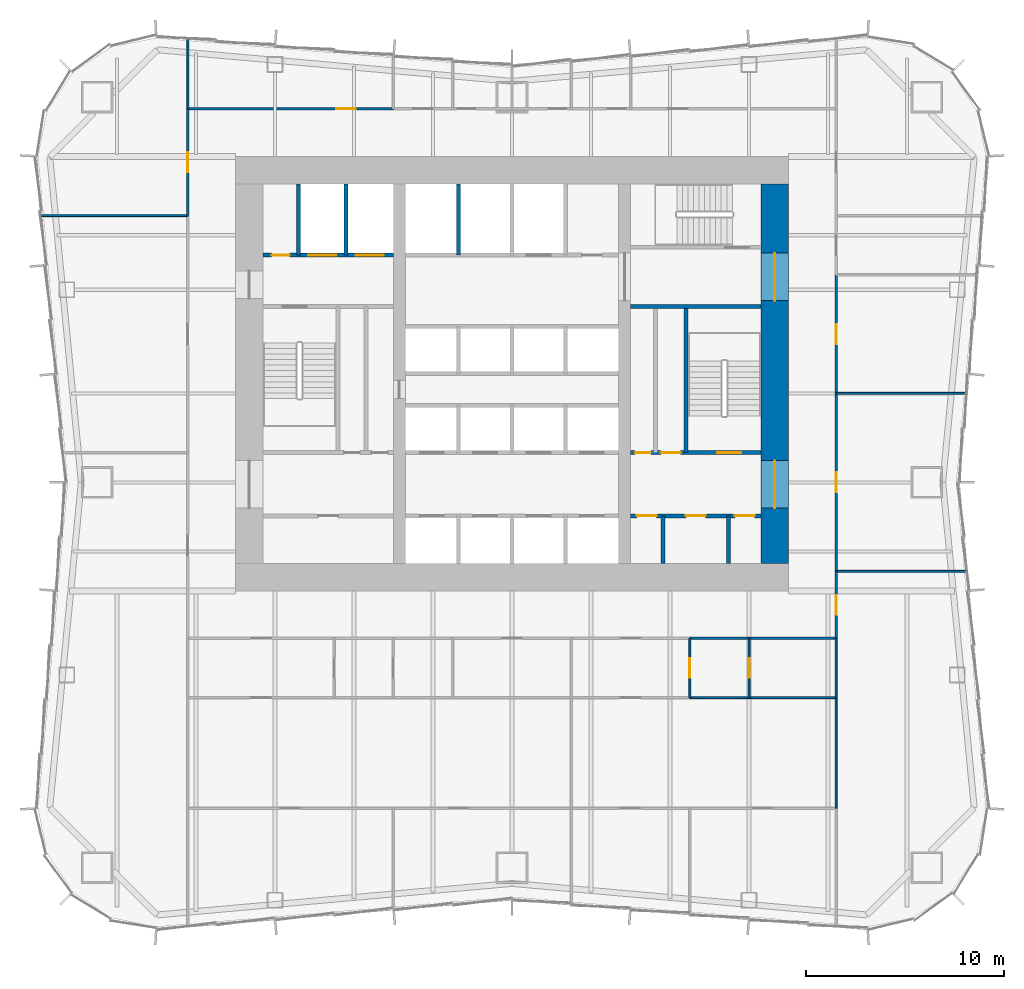
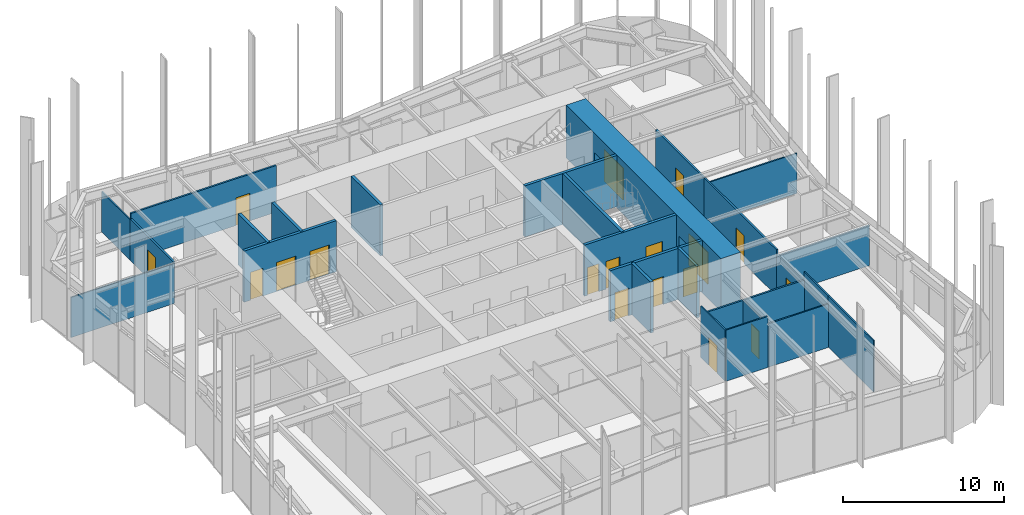
# One storey, part 11 of 13: 28 walls, 18 doors, 18 openings.
"""IFC4 building model written with IfcOpenShell, lengths in metres."""

import ifcopenshell
import ifcopenshell.guid

model = None  # the IFC model being written
_history = None  # IfcOwnerHistory: only IFC2X3 demands one
_inside = {}  # id of a spatial element -> (the spatial element, [elements in it])
_under = {}  # id of a project, library or spatial element -> (it, [spatial elements below it])
_declared = {}  # id of a project -> (the project, [libraries it declares])
_typed = {}  # id of a type object -> (the type object, [elements of that type])
_made_of = {}  # id of a material, layer set ... -> (it, [elements and type objects made of it])


def new_model(schema):
    """Start an empty IFC model of exactly this schema.

    Asked for "IFC4X3", IfcOpenShell would pick the latest addendum, in which some entities
    have other attributes; the version numbers below select the first issue.
    IFC2X3 requires an IfcOwnerHistory on every rooted entity: one is made here for all.
    """
    global model, _history
    if schema == "IFC4X3":
        model = ifcopenshell.file(schema_version=(4, 3, 0, 0))
    else:
        model = ifcopenshell.file(schema=schema)
    _inside.clear()
    _under.clear()
    _declared.clear()
    _typed.clear()
    _made_of.clear()
    _history = None
    if model.schema == "IFC2X3":
        org = make("IfcOrganization", Name="unknown")
        user = make(
            "IfcPersonAndOrganization",
            ThePerson=make("IfcPerson", FamilyName="unknown"),
            TheOrganization=org,
        )
        app = make(
            "IfcApplication",
            ApplicationDeveloper=org,
            Version="unknown",
            ApplicationFullName="unknown",
            ApplicationIdentifier="unknown",
        )
        _history = make(
            "IfcOwnerHistory",
            OwningUser=user,
            OwningApplication=app,
            ChangeAction="ADDED",
            CreationDate=0,
        )
    return model


def make(cls, **values):
    """One entity of the class cls with the attributes given. An attribute that is None is left unset."""
    return model.create_entity(
        cls, **{name: value for name, value in values.items() if value is not None}
    )


def rooted(cls, **values):
    """An entity with a GlobalId (a new one), such as an element, a storey or a relation."""
    return make(cls, GlobalId=ifcopenshell.guid.new(), OwnerHistory=_history, **values)


def si_unit(unit_type, name, prefix=None):
    """IfcSIUnit, for example si_unit("LENGTHUNIT", "METRE", prefix="MILLI")."""
    return make("IfcSIUnit", UnitType=unit_type, Prefix=prefix, Name=name)


def assignment(units):
    """IfcUnitAssignment: the units of a project."""
    return None if units is None else make("IfcUnitAssignment", Units=units)


def point(xyz):
    """IfcCartesianPoint."""
    return None if xyz is None else make("IfcCartesianPoint", Coordinates=xyz)


def direction(xyz):
    """IfcDirection."""
    return None if xyz is None else make("IfcDirection", DirectionRatios=xyz)


def frame(location, z_axis=None, x_axis=None):
    """IfcAxis2Placement3D, a coordinate frame: its origin and axes. An axis left out is left unset."""
    return make(
        "IfcAxis2Placement3D",
        Location=point(location),
        Axis=direction(z_axis),
        RefDirection=direction(x_axis),
    )


def frame_2d(location, x_axis=None):
    """IfcAxis2Placement2D, a coordinate frame in the plane: its origin and x axis."""
    return make(
        "IfcAxis2Placement2D", Location=point(location), RefDirection=direction(x_axis)
    )


def origin():
    """The frame at (0, 0, 0) with its axes left unset."""
    return frame((0.0, 0.0, 0.0))


def place(relative_to, where):
    """IfcLocalPlacement: puts the frame where relative to a parent placement (None: the world)."""
    return make(
        "IfcLocalPlacement", PlacementRelTo=relative_to, RelativePlacement=where
    )


def context(
    kind, dimensions, precision=None, world=None, true_north=None, identifier=None
):
    """IfcGeometricRepresentationContext, for example the 3D "Model" context."""
    return make(
        "IfcGeometricRepresentationContext",
        ContextIdentifier=identifier,
        ContextType=kind,
        CoordinateSpaceDimension=dimensions,
        Precision=precision,
        WorldCoordinateSystem=world,
        TrueNorth=true_north,
    )


def subcontext(parent, identifier, kind, view, scale=None):
    """IfcGeometricRepresentationSubContext, for example "Body" below "Model"."""
    return make(
        "IfcGeometricRepresentationSubContext",
        ContextIdentifier=identifier,
        ContextType=kind,
        ParentContext=parent,
        TargetScale=scale,
        TargetView=view,
    )


def project(units=None, contexts=None):
    """IfcProject with its units and contexts."""
    return rooted(
        "IfcProject",
        Name="project",
        RepresentationContexts=contexts,
        UnitsInContext=assignment(units),
    )


def spatial(cls, under=None, at=None, **own):
    """A site, building, storey or space (cls), placed at a placement, below another one or the project."""
    s = rooted(cls, ObjectPlacement=at, **own)
    if under is not None:
        _under.setdefault(under.id(), (under, []))[1].append(s)
    return s


def profile(cls, at=None, kind="AREA", **sizes):
    """A parametric profile (cls). Its sizes go by their IFC names, for example OverallWidth=200.0."""
    return make(cls, ProfileType=kind, Position=at, **sizes)


def rectangle(**sizes):
    """IfcRectangleProfileDef."""
    return profile("IfcRectangleProfileDef", **sizes)


def extrude(swept, where, along, depth):
    """IfcExtrudedAreaSolid: the profile swept, set in the frame where, extruded along a direction by depth."""
    return make(
        "IfcExtrudedAreaSolid",
        SweptArea=swept,
        Position=where,
        ExtrudedDirection=direction(along),
        Depth=depth,
    )


def shape(context_of_items, identifier, shape_type, items):
    """IfcShapeRepresentation: the items that make up one representation, for example the "Body"."""
    return make(
        "IfcShapeRepresentation",
        ContextOfItems=context_of_items,
        RepresentationIdentifier=identifier,
        RepresentationType=shape_type,
        Items=items,
    )


def material(Name=None, Category=None):
    """IfcMaterial."""
    return make("IfcMaterial", Name=Name, Category=Category)


def layer(
    of_material, thickness, ventilated=None, Name=None, Category=None, Priority=None
):
    """IfcMaterialLayer: one layer of a wall or slab, of a material (None: an air gap)."""
    return make(
        "IfcMaterialLayer",
        Material=of_material,
        LayerThickness=thickness,
        IsVentilated=ventilated,
        Name=Name,
        Category=Category,
        Priority=Priority,
    )


def layer_set(layers, Name=None):
    """IfcMaterialLayerSet."""
    return make("IfcMaterialLayerSet", MaterialLayers=layers, LayerSetName=Name)


def made_of(thing, what):
    """Note that an element or type object is made of a material, layer set ...; save() writes the relation."""
    if what is not None:
        _made_of.setdefault(what.id(), (what, []))[1].append(thing)
    return thing


def type_object(cls, material=None, **own):
    """A type object (cls), such as IfcWallType, which elements share."""
    return made_of(rooted(cls, **own), material)


def element(
    cls,
    number,
    at=None,
    inside=None,
    cuts=None,
    type_object=None,
    material=None,
    context=None,
    identifier="Body",
    shape_type=None,
    held_by="IfcProductDefinitionShape",
    body=None,
    shapes=None,
    **own,
):
    """One element of the class cls, such as IfcWall. Its Tag is "e" and its number.

    at: its placement. inside: the storey or other place that contains it. cuts: it is an
    opening in that element (IfcRelVoidsElement). A single representation is given by context,
    identifier, shape_type and body (its items); several are given by shapes. held_by: the class
    of the entity that holds the representations. save() writes the other relations.
    """
    e = rooted(cls, Tag="e%d" % number, ObjectPlacement=at, **own)
    if body is not None:
        shapes = [shape(context, identifier, shape_type, body)]
    if shapes is not None:
        e.Representation = make(held_by, Representations=shapes)
    if inside is not None:
        _inside.setdefault(inside.id(), (inside, []))[1].append(e)
    if cuts is not None:
        rooted(
            "IfcRelVoidsElement", RelatingBuildingElement=cuts, RelatedOpeningElement=e
        )
    if type_object is not None:
        _typed.setdefault(type_object.id(), (type_object, []))[1].append(e)
    return made_of(e, material)


def fill(opening, filler):
    """IfcRelFillsElement: the door or window that sits in an opening."""
    return rooted(
        "IfcRelFillsElement",
        RelatingOpeningElement=opening,
        RelatedBuildingElement=filler,
    )


def aggregate(whole, parts):
    """IfcRelAggregates: a whole, such as a stair, and the parts it consists of."""
    return rooted("IfcRelAggregates", RelatingObject=whole, RelatedObjects=parts)


def save(model, path):
    """Write the relations noted so far, then the file.

    IfcRelAggregates (storeys below a building ...), IfcRelContainedInSpatialStructure (elements
    in a storey), IfcRelDefinesByType, IfcRelAssociatesMaterial and IfcRelDeclares: one each for
    every whole, place, type object, material and project.
    """
    for whole, parts in _under.values():
        aggregate(whole, parts)
    for where, things in _inside.values():
        rooted(
            "IfcRelContainedInSpatialStructure",
            RelatedElements=things,
            RelatingStructure=where,
        )
    for kind, things in _typed.values():
        rooted("IfcRelDefinesByType", RelatedObjects=things, RelatingType=kind)
    for what, things in _made_of.values():
        rooted("IfcRelAssociatesMaterial", RelatedObjects=things, RelatingMaterial=what)
    for by, libraries in _declared.values():
        rooted("IfcRelDeclares", RelatingContext=by, RelatedDefinitions=libraries)
    model.write(path)


model = new_model("IFC4")

# Units and contexts
model_context = context("Model", 3, precision=1e-05, world=origin(), true_north=direction((0.0, 1.0)))
body_context = subcontext(model_context, "Body", "Model", "MODEL_VIEW")
ifc_project = project(units=[si_unit("LENGTHUNIT", "METRE"), si_unit("AREAUNIT", "SQUARE_METRE"), si_unit("VOLUMEUNIT", "CUBIC_METRE"), si_unit("PLANEANGLEUNIT", "RADIAN"), si_unit("MASSUNIT", "GRAM", prefix="KILO")], contexts=[model_context])

# Site, building, storey
site_placement = place(None, origin())
site = spatial("IfcSite", under=ifc_project, at=site_placement, CompositionType="ELEMENT")
building_placement = place(site_placement, origin())
building = spatial("IfcBuilding", under=site, at=building_placement, Name="Verdant Reach Tower", CompositionType="ELEMENT")
storey_placement = place(building_placement, frame((0.0, 0.0, 26.0)))
storey = spatial("IfcBuildingStorey", under=building, at=storey_placement, Name="L05", CompositionType="ELEMENT", Elevation=26.0)

# Wall, openings, doors
ifc_material_1 = material(Name="Gypsum board on steel studs", Category="steel")
ifc_layer_1 = layer(ifc_material_1, 0.199951171875)
ifc_layer_set_1 = layer_set([ifc_layer_1], Name="CO-WALL-ROOM")
wall_type_1 = type_object("IfcWallType", Name="CO-WALL-ROOM", PredefinedType="PARTITIONING", material=ifc_layer_set_1)
wall_1_placement = place(storey_placement, frame((6.0, 20.800048828125, 0.0), z_axis=(0.0, 0.0, 1.0), x_axis=(1.0, 0.0, 0.0)))
wall_1 = element("IfcWall", 1, at=wall_1_placement, inside=storey, type_object=wall_type_1, Name="Core partition, L05", PredefinedType="PARTITIONING", context=body_context, shape_type="SweptSolid", body=[
    extrude(rectangle(XDim=6.60009765625, YDim=0.199951171875, at=frame_2d((3.300048828125, 0.0))), origin(), (0.0, 0.0, 1.0), 3.8701171875),
])
opening_1_placement = place(wall_1_placement, frame((0.324951171875, 0.0, 0.0)))
opening_1 = element("IfcOpeningElement", 2, at=opening_1_placement, cuts=wall_1, Name="Opening CD", PredefinedType="OPENING", context=body_context, shape_type="SweptSolid", body=[
    extrude(rectangle(XDim=1.0, YDim=2.10009765625, at=frame_2d((0.5, 1.050048828125))), frame((0.0, 0.10986328125, 0.0), z_axis=(0.0, -1.0, 0.0), x_axis=(1.0, 0.0, 0.0)), (0.0, 0.0, 1.0), 0.219970703125),
])
opening_2_placement = place(wall_1_placement, frame((2.800048828125, 0.0, 0.0)))
opening_2 = element("IfcOpeningElement", 3, at=opening_2_placement, cuts=wall_1, Name="Opening CD", PredefinedType="OPENING", context=body_context, shape_type="SweptSolid", body=[
    extrude(rectangle(XDim=1.0, YDim=2.10009765625, at=frame_2d((0.5, 1.050048828125))), frame((0.0, 0.10986328125, 0.0), z_axis=(0.0, -1.0, 0.0), x_axis=(1.0, 0.0, 0.0)), (0.0, 0.0, 1.0), 0.219970703125),
])
opening_3_placement = place(wall_1_placement, frame((5.27490234375, 0.0, 0.0)))
opening_3 = element("IfcOpeningElement", 4, at=opening_3_placement, cuts=wall_1, Name="Opening CD", PredefinedType="OPENING", context=body_context, shape_type="SweptSolid", body=[
    extrude(rectangle(XDim=1.0, YDim=2.10009765625, at=frame_2d((0.5, 1.050048828125))), frame((0.0, 0.10986328125, 0.0), z_axis=(0.0, -1.0, 0.0), x_axis=(1.0, 0.0, 0.0)), (0.0, 0.0, 1.0), 0.219970703125),
])
ifc_material_2 = material(Name="Timber", Category="wood")
door_type_1 = type_object("IfcDoorType", Name="CO-DOOR-ROOM", OperationType="NOTDEFINED", PredefinedType="DOOR", material=ifc_material_2)
door_1_placement = place(opening_1_placement, origin())
door_1 = element("IfcDoor", 5, at=door_1_placement, inside=storey, type_object=door_type_1, Name="Core room door, L05", OperationType="SINGLE_SWING_LEFT", OverallHeight=2.10009765625, OverallWidth=1.0, PredefinedType="DOOR", context=body_context, shape_type="SweptSolid", body=[
    extrude(rectangle(XDim=1.0, YDim=2.10009765625, at=frame_2d((0.5, 1.050048828125))), frame((0.0, 0.02490234375, 0.0), z_axis=(0.0, -1.0, 0.0), x_axis=(1.0, 0.0, 0.0)), (0.0, 0.0, 1.0), 0.050048828125),
])
fill(opening_1, door_1)
door_2_placement = place(opening_2_placement, origin())
door_2 = element("IfcDoor", 6, at=door_2_placement, inside=storey, type_object=door_type_1, Name="Core room door, L05", OperationType="SINGLE_SWING_LEFT", OverallHeight=2.10009765625, OverallWidth=1.0, PredefinedType="DOOR", context=body_context, shape_type="SweptSolid", body=[
    extrude(rectangle(XDim=1.0, YDim=2.10009765625, at=frame_2d((0.5, 1.050048828125))), frame((0.0, 0.02490234375, 0.0), z_axis=(0.0, -1.0, 0.0), x_axis=(1.0, 0.0, 0.0)), (0.0, 0.0, 1.0), 0.050048828125),
])
fill(opening_2, door_2)
door_3_placement = place(opening_3_placement, origin())
door_3 = element("IfcDoor", 7, at=door_3_placement, inside=storey, type_object=door_type_1, Name="Core room door, L05", OperationType="SINGLE_SWING_LEFT", OverallHeight=2.10009765625, OverallWidth=1.0, PredefinedType="DOOR", context=body_context, shape_type="SweptSolid", body=[
    extrude(rectangle(XDim=1.0, YDim=2.10009765625, at=frame_2d((0.5, 1.050048828125))), frame((0.0, 0.02490234375, 0.0), z_axis=(0.0, -1.0, 0.0), x_axis=(1.0, 0.0, 0.0)), (0.0, 0.0, 1.0), 0.050048828125),
])
fill(opening_3, door_3)

# Walls
for number, where, z_axis, x_axis, name in (
    (8, (7.64990234375, 18.39990234375, 0.0), (0.0, 0.0, 1.0), (0.0, 1.0, 0.0), "Core partition, L05"),
    (9, (10.949951171875, 18.39990234375, 0.0), (0.0, 0.0, 1.0), (0.0, 1.0, 0.0), "Core partition, L05"),
):
    element("IfcWall", number, at=place(storey_placement, frame(where, z_axis=z_axis, x_axis=x_axis)), inside=storey, type_object=wall_type_1, Name=name, PredefinedType="PARTITIONING", context=body_context, shape_type="SweptSolid", body=[
        extrude(rectangle(XDim=2.400146484375, YDim=0.199951171875, at=frame_2d((1.2001953125, 0.0))), origin(), (0.0, 0.0, 1.0), 3.8701171875),
    ])

# Wall, openings, doors
ifc_material_3 = material(Name="Concrete C40/50", Category="concrete")
ifc_layer_2 = layer(ifc_material_3, 0.199951171875)
ifc_layer_set_2 = layer_set([ifc_layer_2], Name="CO-WALL-SHAFT")
wall_type_2 = type_object("IfcWallType", Name="CO-WALL-SHAFT", PredefinedType="PARTITIONING", material=ifc_layer_set_2)
wall_2_placement = place(storey_placement, frame((-12.60009765625, 34.0, 0.0), z_axis=(0.0, 0.0, 1.0), x_axis=(1.0, 0.0, 0.0)))
wall_2 = element("IfcWall", 10, at=wall_2_placement, inside=storey, type_object=wall_type_2, Name="Lift shaft wall, L05", PredefinedType="PARTITIONING", context=body_context, shape_type="SweptSolid", body=[
    extrude(rectangle(XDim=6.60009765625, YDim=0.199951171875, at=frame_2d((3.300048828125, 0.0))), origin(), (0.0, 0.0, 1.0), 3.8701171875),
])
opening_4_placement = place(wall_2_placement, frame((4.699951171875, 0.0, 0.0)))
opening_4 = element("IfcOpeningElement", 11, at=opening_4_placement, cuts=wall_2, Name="Opening LD-F1", PredefinedType="OPENING", context=body_context, shape_type="SweptSolid", body=[
    extrude(rectangle(XDim=1.39990234375, YDim=2.199951171875, at=frame_2d((0.699951171875, 1.10009765625))), frame((0.0, 0.10986328125, 0.0), z_axis=(0.0, -1.0, 0.0), x_axis=(1.0, 0.0, 0.0)), (0.0, 0.0, 1.0), 0.219970703125),
])
opening_5_placement = place(wall_2_placement, frame((2.300048828125, 0.0, 0.0)))
opening_5 = element("IfcOpeningElement", 12, at=opening_5_placement, cuts=wall_2, Name="Opening LD-F2", PredefinedType="OPENING", context=body_context, shape_type="SweptSolid", body=[
    extrude(rectangle(XDim=1.39990234375, YDim=2.199951171875, at=frame_2d((0.699951171875, 1.10009765625))), frame((0.0, 0.10986328125, 0.0), z_axis=(0.0, -1.0, 0.0), x_axis=(1.0, 0.0, 0.0)), (0.0, 0.0, 1.0), 0.219970703125),
])
opening_6_placement = place(wall_2_placement, frame((0.449951171875, 0.0, 0.0)))
opening_6 = element("IfcOpeningElement", 13, at=opening_6_placement, cuts=wall_2, Name="Opening RD", PredefinedType="OPENING", context=body_context, shape_type="SweptSolid", body=[
    extrude(rectangle(XDim=0.89990234375, YDim=2.10009765625, at=frame_2d((0.449951171875, 1.050048828125))), frame((0.0, 0.10986328125, 0.0), z_axis=(0.0, -1.0, 0.0), x_axis=(1.0, 0.0, 0.0)), (0.0, 0.0, 1.0), 0.219970703125),
])
ifc_material_4 = material(Name="Stainless steel", Category="steel")
door_type_2 = type_object("IfcDoorType", Name="CO-DOOR-LANDING-FF", OperationType="SLIDING_TO_LEFT", PredefinedType="DOOR", material=ifc_material_4)
door_4_placement = place(opening_4_placement, origin())
door_4 = element("IfcDoor", 14, at=door_4_placement, inside=storey, type_object=door_type_2, Name="Landing door F1, L05", OperationType="SLIDING_TO_LEFT", OverallHeight=2.199951171875, OverallWidth=1.39990234375, PredefinedType="DOOR", context=body_context, shape_type="SweptSolid", body=[
    extrude(rectangle(XDim=1.39990234375, YDim=2.199951171875, at=frame_2d((0.699951171875, 1.10009765625))), frame((0.0, 0.02490234375, 0.0), z_axis=(0.0, -1.0, 0.0), x_axis=(1.0, 0.0, 0.0)), (0.0, 0.0, 1.0), 0.050048828125),
])
fill(opening_4, door_4)
door_5_placement = place(opening_5_placement, origin())
door_5 = element("IfcDoor", 15, at=door_5_placement, inside=storey, type_object=door_type_2, Name="Landing door F2, L05", OperationType="SLIDING_TO_LEFT", OverallHeight=2.199951171875, OverallWidth=1.39990234375, PredefinedType="DOOR", context=body_context, shape_type="SweptSolid", body=[
    extrude(rectangle(XDim=1.39990234375, YDim=2.199951171875, at=frame_2d((0.699951171875, 1.10009765625))), frame((0.0, 0.02490234375, 0.0), z_axis=(0.0, -1.0, 0.0), x_axis=(1.0, 0.0, 0.0)), (0.0, 0.0, 1.0), 0.050048828125),
])
fill(opening_5, door_5)
ifc_material_5 = material(Name="Steel", Category="steel")
door_type_3 = type_object("IfcDoorType", Name="CO-DOOR-RISER", OperationType="NOTDEFINED", PredefinedType="DOOR", material=ifc_material_5)
door_6_placement = place(opening_6_placement, origin())
door_6 = element("IfcDoor", 16, at=door_6_placement, inside=storey, type_object=door_type_3, Name="Core room door, L05", OperationType="SINGLE_SWING_RIGHT", OverallHeight=2.10009765625, OverallWidth=0.89990234375, PredefinedType="DOOR", context=body_context, shape_type="SweptSolid", body=[
    extrude(rectangle(XDim=0.89990234375, YDim=2.10009765625, at=frame_2d((0.449951171875, 1.050048828125))), frame((0.0, 0.02490234375, 0.0), z_axis=(0.0, -1.0, 0.0), x_axis=(1.0, 0.0, 0.0)), (0.0, 0.0, 1.0), 0.050048828125),
])
fill(opening_6, door_6)

# Walls
for number, where, z_axis, x_axis, name in (
    (17, (-10.800048828125, 34.0, 0.0), (0.0, 0.0, 1.0), (0.0, 1.0, 0.0), "Lift shaft wall, L05"),
    (18, (-8.39990234375, 34.0, 0.0), (0.0, 0.0, 1.0), (0.0, 1.0, 0.0), "Lift shaft wall, L05"),
    (19, (-2.699951171875, 34.0, 0.0), (0.0, 0.0, 1.0), (0.0, 1.0, 0.0), "Lift shaft wall, L05"),
):
    element("IfcWall", number, at=place(storey_placement, frame(where, z_axis=z_axis, x_axis=x_axis)), inside=storey, type_object=wall_type_2, Name=name, PredefinedType="PARTITIONING", context=body_context, shape_type="SweptSolid", body=[
        extrude(rectangle(XDim=3.60009765625, YDim=0.199951171875, at=frame_2d((1.800048828125, 0.0))), origin(), (0.0, 0.0, 1.0), 3.8701171875),
    ])

# Wall, openings, doors
ifc_layer_3 = layer(ifc_material_3, 0.199951171875)
ifc_layer_set_3 = layer_set([ifc_layer_3], Name="CO-WALL-STAIR")
wall_type_3 = type_object("IfcWallType", Name="CO-WALL-STAIR", PredefinedType="PARTITIONING", material=ifc_layer_set_3)
wall_3_placement = place(storey_placement, frame((6.0, 24.0, 0.0), z_axis=(0.0, 0.0, 1.0), x_axis=(1.0, 0.0, 0.0)))
wall_3 = element("IfcWall", 20, at=wall_3_placement, inside=storey, type_object=wall_type_3, Name="Stair enclosure wall, L05", PredefinedType="PARTITIONING", context=body_context, shape_type="SweptSolid", body=[
    extrude(rectangle(XDim=6.60009765625, YDim=0.199951171875, at=frame_2d((3.300048828125, 0.0))), origin(), (0.0, 0.0, 1.0), 3.8701171875),
])
opening_7_placement = place(wall_3_placement, frame((0.22998046875, 0.0, 0.0)))
opening_7 = element("IfcOpeningElement", 21, at=opening_7_placement, cuts=wall_3, Name="Opening CDN", PredefinedType="OPENING", context=body_context, shape_type="SweptSolid", body=[
    extrude(rectangle(XDim=0.800048828125, YDim=2.10009765625, at=frame_2d((0.39990234375, 1.050048828125))), frame((0.0, 0.10986328125, 0.0), z_axis=(0.0, -1.0, 0.0), x_axis=(1.0, 0.0, 0.0)), (0.0, 0.0, 1.0), 0.219970703125),
])
opening_8_placement = place(wall_3_placement, frame((1.530029296875, 0.0, 0.0)))
opening_8 = element("IfcOpeningElement", 22, at=opening_8_placement, cuts=wall_3, Name="Opening CD", PredefinedType="OPENING", context=body_context, shape_type="SweptSolid", body=[
    extrude(rectangle(XDim=1.0, YDim=2.10009765625, at=frame_2d((0.5, 1.050048828125))), frame((0.0, 0.10986328125, 0.0), z_axis=(0.0, -1.0, 0.0), x_axis=(1.0, 0.0, 0.0)), (0.0, 0.0, 1.0), 0.219970703125),
])
opening_9_placement = place(wall_3_placement, frame((4.39990234375, 0.0, 0.0)))
opening_9 = element("IfcOpeningElement", 23, at=opening_9_placement, cuts=wall_3, Name="Opening SD", PredefinedType="OPENING", context=body_context, shape_type="SweptSolid", body=[
    extrude(rectangle(XDim=1.199951171875, YDim=2.199951171875, at=frame_2d((0.60009765625, 1.10009765625))), frame((0.0, 0.10986328125, 0.0), z_axis=(0.0, -1.0, 0.0), x_axis=(1.0, 0.0, 0.0)), (0.0, 0.0, 1.0), 0.219970703125),
])
door_7_placement = place(opening_8_placement, origin())
door_7 = element("IfcDoor", 24, at=door_7_placement, inside=storey, type_object=door_type_1, Name="Core room door, L05", OperationType="SINGLE_SWING_LEFT", OverallHeight=2.10009765625, OverallWidth=1.0, PredefinedType="DOOR", context=body_context, shape_type="SweptSolid", body=[
    extrude(rectangle(XDim=1.0, YDim=2.10009765625, at=frame_2d((0.5, 1.050048828125))), frame((0.0, 0.02490234375, 0.0), z_axis=(0.0, -1.0, 0.0), x_axis=(1.0, 0.0, 0.0)), (0.0, 0.0, 1.0), 0.050048828125),
])
fill(opening_8, door_7)
door_type_4 = type_object("IfcDoorType", Name="CO-DOOR-ROOM-NARROW", OperationType="NOTDEFINED", PredefinedType="DOOR", material=ifc_material_2)
door_8_placement = place(opening_7_placement, origin())
door_8 = element("IfcDoor", 25, at=door_8_placement, inside=storey, type_object=door_type_4, Name="Core room door, L05", OperationType="SINGLE_SWING_RIGHT", OverallHeight=2.10009765625, OverallWidth=0.800048828125, PredefinedType="DOOR", context=body_context, shape_type="SweptSolid", body=[
    extrude(rectangle(XDim=0.800048828125, YDim=2.10009765625, at=frame_2d((0.39990234375, 1.050048828125))), frame((0.0, 0.02490234375, 0.0), z_axis=(0.0, -1.0, 0.0), x_axis=(1.0, 0.0, 0.0)), (0.0, 0.0, 1.0), 0.050048828125),
])
fill(opening_7, door_8)
door_type_5 = type_object("IfcDoorType", Name="CO-DOOR-STAIR", OperationType="NOTDEFINED", PredefinedType="DOOR", material=ifc_material_5)
door_9_placement = place(opening_9_placement, origin())
door_9 = element("IfcDoor", 26, at=door_9_placement, inside=storey, type_object=door_type_5, Name="Stair door, L05", OperationType="SINGLE_SWING_LEFT", OverallHeight=2.199951171875, OverallWidth=1.199951171875, PredefinedType="DOOR", context=body_context, shape_type="SweptSolid", body=[
    extrude(rectangle(XDim=1.199951171875, YDim=2.199951171875, at=frame_2d((0.60009765625, 1.10009765625))), frame((0.0, 0.02490234375, 0.0), z_axis=(0.0, -1.0, 0.0), x_axis=(1.0, 0.0, 0.0)), (0.0, 0.0, 1.0), 0.050048828125),
])
fill(opening_9, door_9)

# Walls
wall_4_placement = place(storey_placement, frame((6.0, 31.39990234375, 0.0), z_axis=(0.0, 0.0, 1.0), x_axis=(1.0, 0.0, 0.0)))
element("IfcWall", 27, at=wall_4_placement, inside=storey, type_object=wall_type_3, Name="Stair enclosure wall, L05", PredefinedType="PARTITIONING", context=body_context, shape_type="SweptSolid", body=[
    extrude(rectangle(XDim=6.60009765625, YDim=0.199951171875, at=frame_2d((3.300048828125, 0.0))), origin(), (0.0, 0.0, 1.0), 3.8701171875),
])
wall_5_placement = place(storey_placement, frame((8.800048828125, 24.0, 0.0), z_axis=(0.0, 0.0, 1.0), x_axis=(0.0, 1.0, 0.0)))
element("IfcWall", 28, at=wall_5_placement, inside=storey, type_object=wall_type_3, Name="Stair enclosure wall, L05", PredefinedType="PARTITIONING", context=body_context, shape_type="SweptSolid", body=[
    extrude(rectangle(XDim=7.39990234375, YDim=0.199951171875, at=frame_2d((3.699951171875, 0.0))), origin(), (0.0, 0.0, 1.0), 3.8701171875),
])

# Wall, opening, door
ifc_layer_4 = layer(ifc_material_1, 0.10009765625)
ifc_layer_set_4 = layer_set([ifc_layer_4], Name="FL-W1 Partition 100")
wall_type_4 = type_object("IfcWallType", Name="FL-W1 Partition 100", PredefinedType="PARTITIONING", material=ifc_layer_set_4)
wall_6_placement = place(storey_placement, frame((9.0, 14.60009765625, 0.0), z_axis=(0.0, 0.0, 1.0), x_axis=(0.0, -1.0, 0.0)))
wall_6 = element("IfcWall", 29, at=wall_6_placement, inside=storey, type_object=wall_type_4, Name="Partition 05.38", PredefinedType="PARTITIONING", context=body_context, shape_type="SweptSolid", body=[
    extrude(rectangle(XDim=3.0, YDim=0.10009765625, at=frame_2d((1.5, 0.0))), origin(), (0.0, 0.0, 1.0), 3.8701171875),
])
opening_10_placement = place(wall_6_placement, frame((1.0, 0.0, 0.0)))
opening_10 = element("IfcOpeningElement", 30, at=opening_10_placement, cuts=wall_6, Name="Opening D3", PredefinedType="OPENING", context=body_context, shape_type="SweptSolid", body=[
    extrude(rectangle(XDim=1.0, YDim=2.10009765625, at=frame_2d((0.5, 1.050048828125))), frame((0.0, 0.06005859375, 0.0), z_axis=(0.0, -1.0, 0.0), x_axis=(1.0, 0.0, 0.0)), (0.0, 0.0, 1.0), 0.1201171875),
])
ifc_material_6 = material(Name="Painted timber door leaf", Category="wood")
door_type_6 = type_object("IfcDoorType", Name="FL-D3 Door 1000x2100", OperationType="NOTDEFINED", PredefinedType="DOOR", material=ifc_material_6)
door_10_placement = place(opening_10_placement, origin())
door_10 = element("IfcDoor", 31, at=door_10_placement, inside=storey, type_object=door_type_6, Name="Door 05-023", OperationType="SINGLE_SWING_LEFT", OverallHeight=2.10009765625, OverallWidth=1.0, PredefinedType="DOOR", context=body_context, shape_type="SweptSolid", body=[
    extrude(rectangle(XDim=1.0, YDim=2.10009765625, at=frame_2d((0.5, 1.050048828125))), frame((0.0, 0.02490234375, 0.0), z_axis=(0.0, -1.0, 0.0), x_axis=(1.0, 0.0, 0.0)), (0.0, 0.0, 1.0), 0.050048828125),
])
fill(opening_10, door_10)

wall_7_placement = place(storey_placement, frame((12.0, 14.60009765625, 0.0), z_axis=(0.0, 0.0, 1.0), x_axis=(0.0, -1.0, 0.0)))
wall_7 = element("IfcWall", 32, at=wall_7_placement, inside=storey, type_object=wall_type_4, Name="Partition 05.40", PredefinedType="PARTITIONING", context=body_context, shape_type="SweptSolid", body=[
    extrude(rectangle(XDim=3.0, YDim=0.10009765625, at=frame_2d((1.5, 0.0))), origin(), (0.0, 0.0, 1.0), 3.2900390625),
])
opening_11_placement = place(wall_7_placement, frame((1.0, 0.0, 0.0)))
opening_11 = element("IfcOpeningElement", 33, at=opening_11_placement, cuts=wall_7, Name="Opening D3", PredefinedType="OPENING", context=body_context, shape_type="SweptSolid", body=[
    extrude(rectangle(XDim=1.0, YDim=2.10009765625, at=frame_2d((0.5, 1.050048828125))), frame((0.0, 0.06005859375, 0.0), z_axis=(0.0, -1.0, 0.0), x_axis=(1.0, 0.0, 0.0)), (0.0, 0.0, 1.0), 0.1201171875),
])
door_11_placement = place(opening_11_placement, origin())
door_11 = element("IfcDoor", 34, at=door_11_placement, inside=storey, type_object=door_type_6, Name="Door 05-025", OperationType="SINGLE_SWING_LEFT", OverallHeight=2.10009765625, OverallWidth=1.0, PredefinedType="DOOR", context=body_context, shape_type="SweptSolid", body=[
    extrude(rectangle(XDim=1.0, YDim=2.10009765625, at=frame_2d((0.5, 1.050048828125))), frame((0.0, 0.02490234375, 0.0), z_axis=(0.0, -1.0, 0.0), x_axis=(1.0, 0.0, 0.0)), (0.0, 0.0, 1.0), 0.050048828125),
])
fill(opening_11, door_11)

# Walls
wall_8_placement = place(storey_placement, frame((8.99609375, 11.60009765625, 0.0), z_axis=(0.0, 0.0, 1.0), x_axis=(1.0, 0.0, 0.0)))
element("IfcWall", 35, at=wall_8_placement, inside=storey, type_object=wall_type_4, Name="Partition 05.41", PredefinedType="PARTITIONING", context=body_context, shape_type="SweptSolid", body=[
    extrude(rectangle(XDim=3.0078125, YDim=0.10009765625, at=frame_2d((1.50390625, 0.0))), origin(), (0.0, 0.0, 1.0), 3.8701171875),
])
wall_9_placement = place(storey_placement, frame((11.99609375, 11.60009765625, 0.0), z_axis=(0.0, 0.0, 1.0), x_axis=(1.0, 0.0, 0.0)))
element("IfcWall", 36, at=wall_9_placement, inside=storey, type_object=wall_type_4, Name="Partition 05.42", PredefinedType="PARTITIONING", context=body_context, shape_type="SweptSolid", body=[
    extrude(rectangle(XDim=4.40380859375, YDim=0.10009765625, at=frame_2d((2.201904296875, 0.0))), origin(), (0.0, 0.0, 1.0), 3.2900390625),
])
wall_10_placement = place(storey_placement, frame((16.39990234375, 11.595947265625, 0.0), z_axis=(0.0, 0.0, 1.0), x_axis=(0.0, 1.0, 0.0)))
element("IfcWall", 37, at=wall_10_placement, inside=storey, type_object=wall_type_4, Name="Partition 05.43", PredefinedType="PARTITIONING", context=body_context, shape_type="SweptSolid", body=[
    extrude(rectangle(XDim=3.008056640625, YDim=0.10009765625, at=frame_2d((1.50390625, 0.0))), origin(), (0.0, 0.0, 1.0), 3.8701171875),
])
wall_11_placement = place(storey_placement, frame((16.39990234375, 5.99609375, 0.0), z_axis=(0.0, 0.0, 1.0), x_axis=(0.0, 1.0, 0.0)))
element("IfcWall", 38, at=wall_11_placement, inside=storey, type_object=wall_type_4, Name="Partition 05.46", PredefinedType="PARTITIONING", context=body_context, shape_type="SweptSolid", body=[
    extrude(rectangle(XDim=5.60791015625, YDim=0.10009765625, at=frame_2d((2.803955078125, 0.0))), origin(), (0.0, 0.0, 1.0), 3.8701171875),
])
wall_12_placement = place(storey_placement, frame((-16.39990234375, 44.94677734375, 0.0), z_axis=(0.0, 0.0, 1.0), x_axis=(0.0, -1.0, 0.0)))
element("IfcWall", 39, at=wall_12_placement, inside=storey, type_object=wall_type_4, Name="Partition 05.50", PredefinedType="PARTITIONING", context=body_context, shape_type="SweptSolid", body=[
    extrude(rectangle(XDim=3.55078125, YDim=0.10009765625, at=frame_2d((1.775390625, 0.0))), origin(), (0.0, 0.0, 1.0), 3.0400390625),
])
wall_13_placement = place(storey_placement, frame((-16.39990234375, 36.0, 0.0), z_axis=(0.0, 0.0, 1.0), x_axis=(-1.0, 0.0, 0.0)))
element("IfcWall", 40, at=wall_13_placement, inside=storey, type_object=wall_type_4, Name="Partition 05.57", PredefinedType="PARTITIONING", context=body_context, shape_type="SweptSolid", body=[
    extrude(rectangle(XDim=7.407470703125, YDim=0.10009765625, at=frame_2d((3.70361328125, 0.0))), origin(), (0.0, 0.0, 1.0), 3.0400390625),
])
for number, where, z_axis, x_axis, name in (
    (41, (22.989013671875, 18.0, 0.0), (0.0, 0.0, 1.0), (-1.0, 0.0, 0.0), "Partition 05.58"),
    (42, (22.989013671875, 27.0, 0.0), (0.0, 0.0, 1.0), (-1.0, 0.0, 0.0), "Partition 05.59"),
):
    element("IfcWall", number, at=place(storey_placement, frame(where, z_axis=z_axis, x_axis=x_axis)), inside=storey, type_object=wall_type_4, Name=name, PredefinedType="PARTITIONING", context=body_context, shape_type="SweptSolid", body=[
        extrude(rectangle(XDim=6.589111328125, YDim=0.10009765625, at=frame_2d((3.29443359375, 0.0))), origin(), (0.0, 0.0, 1.0), 3.0400390625),
    ])
ifc_material_7 = material(Name="Gypsum board on steel studs, fire rated", Category="steel")
ifc_layer_5 = layer(ifc_material_7, 0.125)
ifc_layer_set_5 = layer_set([ifc_layer_5], Name="FL-W2 Corridor wall 125")
wall_type_5 = type_object("IfcWallType", Name="FL-W2 Corridor wall 125", PredefinedType="PARTITIONING", material=ifc_layer_set_5)
wall_14_placement = place(storey_placement, frame((9.0, 14.60009765625, 0.0), z_axis=(0.0, 0.0, 1.0), x_axis=(1.0, 0.0, 0.0)))
element("IfcWall", 43, at=wall_14_placement, inside=storey, type_object=wall_type_5, Name="Partition 05.06", PredefinedType="PARTITIONING", context=body_context, shape_type="SweptSolid", body=[
    extrude(rectangle(XDim=3.0, YDim=0.125, at=frame_2d((1.5, 0.0))), origin(), (0.0, 0.0, 1.0), 3.2900390625),
])
wall_15_placement = place(storey_placement, frame((12.0, 14.60009765625, 0.0), z_axis=(0.0, 0.0, 1.0), x_axis=(1.0, 0.0, 0.0)))
element("IfcWall", 44, at=wall_15_placement, inside=storey, type_object=wall_type_5, Name="Partition 05.07", PredefinedType="PARTITIONING", context=body_context, shape_type="SweptSolid", body=[
    extrude(rectangle(XDim=4.39990234375, YDim=0.125, at=frame_2d((2.199951171875, 0.0))), origin(), (0.0, 0.0, 1.0), 3.2900390625),
])

# Wall, opening, door
wall_16_placement = place(storey_placement, frame((-16.39990234375, 41.39990234375, 0.0), z_axis=(0.0, 0.0, 1.0), x_axis=(1.0, 0.0, 0.0)))
wall_16 = element("IfcWall", 45, at=wall_16_placement, inside=storey, type_object=wall_type_5, Name="Partition 05.08", PredefinedType="PARTITIONING", context=body_context, shape_type="SweptSolid", body=[
    extrude(rectangle(XDim=10.39990234375, YDim=0.125, at=frame_2d((5.199951171875, 0.0))), origin(), (0.0, 0.0, 1.0), 3.5400390625),
])
opening_12_placement = place(wall_16_placement, frame((7.5, 0.0, 0.0)))
opening_12 = element("IfcOpeningElement", 46, at=opening_12_placement, cuts=wall_16, Name="Opening D2", PredefinedType="OPENING", context=body_context, shape_type="SweptSolid", body=[
    extrude(rectangle(XDim=1.0, YDim=2.10009765625, at=frame_2d((0.5, 1.050048828125))), frame((0.0, 0.072509765625, 0.0), z_axis=(0.0, -1.0, 0.0), x_axis=(1.0, 0.0, 0.0)), (0.0, 0.0, 1.0), 0.14501953125),
])
ifc_material_8 = material(Name="Timber door leaf, fire rated", Category="wood")
door_type_7 = type_object("IfcDoorType", Name="FL-D2 Entrance door 1000x2100 FD30", OperationType="NOTDEFINED", PredefinedType="DOOR", material=ifc_material_8)
door_12_placement = place(opening_12_placement, origin())
door_12 = element("IfcDoor", 47, at=door_12_placement, inside=storey, type_object=door_type_7, Name="Door 05-004", OperationType="SINGLE_SWING_RIGHT", OverallHeight=2.10009765625, OverallWidth=1.0, PredefinedType="DOOR", context=body_context, shape_type="SweptSolid", body=[
    extrude(rectangle(XDim=1.0, YDim=2.10009765625, at=frame_2d((0.5, 1.050048828125))), frame((0.0, 0.02490234375, 0.0), z_axis=(0.0, -1.0, 0.0), x_axis=(1.0, 0.0, 0.0)), (0.0, 0.0, 1.0), 0.050048828125),
])
fill(opening_12, door_12)

wall_17_placement = place(storey_placement, frame((-16.39990234375, 36.0, 0.0), z_axis=(0.0, 0.0, 1.0), x_axis=(0.0, 1.0, 0.0)))
wall_17 = element("IfcWall", 48, at=wall_17_placement, inside=storey, type_object=wall_type_5, Name="Partition 05.16", PredefinedType="PARTITIONING", context=body_context, shape_type="SweptSolid", body=[
    extrude(rectangle(XDim=5.404052734375, YDim=0.125, at=frame_2d((2.7021484375, 0.0))), origin(), (0.0, 0.0, 1.0), 3.139892578125),
])
opening_13_placement = place(wall_17_placement, frame((2.201904296875, 0.0, 0.0)))
opening_13 = element("IfcOpeningElement", 49, at=opening_13_placement, cuts=wall_17, Name="Opening D2", PredefinedType="OPENING", context=body_context, shape_type="SweptSolid", body=[
    extrude(rectangle(XDim=1.0, YDim=2.10009765625, at=frame_2d((0.5, 1.050048828125))), frame((0.0, 0.072509765625, 0.0), z_axis=(0.0, -1.0, 0.0), x_axis=(1.0, 0.0, 0.0)), (0.0, 0.0, 1.0), 0.14501953125),
])
door_13_placement = place(opening_13_placement, origin())
door_13 = element("IfcDoor", 50, at=door_13_placement, inside=storey, type_object=door_type_7, Name="Door 05-012", OperationType="SINGLE_SWING_RIGHT", OverallHeight=2.10009765625, OverallWidth=1.0, PredefinedType="DOOR", context=body_context, shape_type="SweptSolid", body=[
    extrude(rectangle(XDim=1.0, YDim=2.10009765625, at=frame_2d((0.5, 1.050048828125))), frame((0.0, 0.02490234375, 0.0), z_axis=(0.0, -1.0, 0.0), x_axis=(1.0, 0.0, 0.0)), (0.0, 0.0, 1.0), 0.050048828125),
])
fill(opening_13, door_13)

wall_18_placement = place(storey_placement, frame((16.39990234375, 18.0, 0.0), z_axis=(0.0, 0.0, 1.0), x_axis=(0.0, -1.0, 0.0)))
wall_18 = element("IfcWall", 51, at=wall_18_placement, inside=storey, type_object=wall_type_5, Name="Partition 05.17", PredefinedType="PARTITIONING", context=body_context, shape_type="SweptSolid", body=[
    extrude(rectangle(XDim=3.404052734375, YDim=0.125, at=frame_2d((1.7021484375, 0.0))), origin(), (0.0, 0.0, 1.0), 3.139892578125),
])
opening_14_placement = place(wall_18_placement, frame((1.201904296875, 0.0, 0.0)))
opening_14 = element("IfcOpeningElement", 52, at=opening_14_placement, cuts=wall_18, Name="Opening D2", PredefinedType="OPENING", context=body_context, shape_type="SweptSolid", body=[
    extrude(rectangle(XDim=1.0, YDim=2.10009765625, at=frame_2d((0.5, 1.050048828125))), frame((0.0, 0.072509765625, 0.0), z_axis=(0.0, -1.0, 0.0), x_axis=(1.0, 0.0, 0.0)), (0.0, 0.0, 1.0), 0.14501953125),
])
door_14_placement = place(opening_14_placement, origin())
door_14 = element("IfcDoor", 53, at=door_14_placement, inside=storey, type_object=door_type_7, Name="Door 05-013", OperationType="SINGLE_SWING_LEFT", OverallHeight=2.10009765625, OverallWidth=1.0, PredefinedType="DOOR", context=body_context, shape_type="SweptSolid", body=[
    extrude(rectangle(XDim=1.0, YDim=2.10009765625, at=frame_2d((0.5, 1.050048828125))), frame((0.0, 0.02490234375, 0.0), z_axis=(0.0, -1.0, 0.0), x_axis=(1.0, 0.0, 0.0)), (0.0, 0.0, 1.0), 0.050048828125),
])
fill(opening_14, door_14)

wall_19_placement = place(storey_placement, frame((16.39990234375, 27.0, 0.0), z_axis=(0.0, 0.0, 1.0), x_axis=(0.0, -1.0, 0.0)))
wall_19 = element("IfcWall", 54, at=wall_19_placement, inside=storey, type_object=wall_type_5, Name="Partition 05.18", PredefinedType="PARTITIONING", context=body_context, shape_type="SweptSolid", body=[
    extrude(rectangle(XDim=9.0, YDim=0.125, at=frame_2d((4.5, 0.0))), origin(), (0.0, 0.0, 1.0), 3.47998046875),
])
opening_15_placement = place(wall_19_placement, frame((4.0, 0.0, 0.0)))
opening_15 = element("IfcOpeningElement", 55, at=opening_15_placement, cuts=wall_19, Name="Opening D2", PredefinedType="OPENING", context=body_context, shape_type="SweptSolid", body=[
    extrude(rectangle(XDim=1.0, YDim=2.10009765625, at=frame_2d((0.5, 1.050048828125))), frame((0.0, 0.072509765625, 0.0), z_axis=(0.0, -1.0, 0.0), x_axis=(1.0, 0.0, 0.0)), (0.0, 0.0, 1.0), 0.14501953125),
])
door_15_placement = place(opening_15_placement, origin())
door_15 = element("IfcDoor", 56, at=door_15_placement, inside=storey, type_object=door_type_7, Name="Door 05-014", OperationType="SINGLE_SWING_RIGHT", OverallHeight=2.10009765625, OverallWidth=1.0, PredefinedType="DOOR", context=body_context, shape_type="SweptSolid", body=[
    extrude(rectangle(XDim=1.0, YDim=2.10009765625, at=frame_2d((0.5, 1.050048828125))), frame((0.0, 0.02490234375, 0.0), z_axis=(0.0, -1.0, 0.0), x_axis=(1.0, 0.0, 0.0)), (0.0, 0.0, 1.0), 0.050048828125),
])
fill(opening_15, door_15)

wall_20_placement = place(storey_placement, frame((16.39990234375, 33.0, 0.0), z_axis=(0.0, 0.0, 1.0), x_axis=(0.0, -1.0, 0.0)))
wall_20 = element("IfcWall", 57, at=wall_20_placement, inside=storey, type_object=wall_type_5, Name="Partition 05.19", PredefinedType="PARTITIONING", context=body_context, shape_type="SweptSolid", body=[
    extrude(rectangle(XDim=6.0, YDim=0.125, at=frame_2d((3.0, 0.0))), origin(), (0.0, 0.0, 1.0), 3.47998046875),
])
opening_16_placement = place(wall_20_placement, frame((2.5, 0.0, 0.0)))
opening_16 = element("IfcOpeningElement", 58, at=opening_16_placement, cuts=wall_20, Name="Opening D2", PredefinedType="OPENING", context=body_context, shape_type="SweptSolid", body=[
    extrude(rectangle(XDim=1.0, YDim=2.10009765625, at=frame_2d((0.5, 1.050048828125))), frame((0.0, 0.072509765625, 0.0), z_axis=(0.0, -1.0, 0.0), x_axis=(1.0, 0.0, 0.0)), (0.0, 0.0, 1.0), 0.14501953125),
])
door_16_placement = place(opening_16_placement, origin())
door_16 = element("IfcDoor", 59, at=door_16_placement, inside=storey, type_object=door_type_7, Name="Door 05-015", OperationType="SINGLE_SWING_LEFT", OverallHeight=2.10009765625, OverallWidth=1.0, PredefinedType="DOOR", context=body_context, shape_type="SweptSolid", body=[
    extrude(rectangle(XDim=1.0, YDim=2.10009765625, at=frame_2d((0.5, 1.050048828125))), frame((0.0, 0.02490234375, 0.0), z_axis=(0.0, -1.0, 0.0), x_axis=(1.0, 0.0, 0.0)), (0.0, 0.0, 1.0), 0.050048828125),
])
fill(opening_16, door_16)

# Wall, openings, doors
ifc_material_9 = material(Name="Concrete C70/85", Category="concrete")
ifc_layer_6 = layer(ifc_material_9, 1.39990234375)
ifc_layer_set_6 = layer_set([ifc_layer_6], Name="ST-CORE-WALL-1400")
wall_type_6 = type_object("IfcWallType", Name="ST-CORE-WALL-1400", PredefinedType="SHEAR", material=ifc_layer_set_6)
wall_21_placement = place(storey_placement, frame((13.300048828125, 18.39990234375, -0.1298828125), z_axis=(0.0, 0.0, 1.0), x_axis=(0.0, 1.0, 0.0)))
wall_21 = element("IfcWall", 60, at=wall_21_placement, inside=storey, type_object=wall_type_6, Name="Core wall E, L05", PredefinedType="SHEAR", context=body_context, shape_type="SweptSolid", body=[
    extrude(rectangle(XDim=19.2001953125, YDim=1.39990234375, at=frame_2d((9.60009765625, 0.0))), origin(), (0.0, 0.0, 1.0), 4.0),
])
opening_17_placement = place(wall_21_placement, frame((2.800048828125, 0.0, 0.1298828125)))
opening_17 = element("IfcOpeningElement", 61, at=opening_17_placement, cuts=wall_21, Name="Opening LB", PredefinedType="OPENING", context=body_context, shape_type="SweptSolid", body=[
    extrude(rectangle(XDim=2.39990234375, YDim=2.39990234375, at=frame_2d((1.199951171875, 1.199951171875))), frame((0.0, 0.7099609375, 0.0), z_axis=(0.0, -1.0, 0.0), x_axis=(1.0, 0.0, 0.0)), (0.0, 0.0, 1.0), 1.419921875),
])
opening_18_placement = place(wall_21_placement, frame((13.300048828125, 0.0, 0.1298828125)))
opening_18 = element("IfcOpeningElement", 62, at=opening_18_placement, cuts=wall_21, Name="Opening LB", PredefinedType="OPENING", context=body_context, shape_type="SweptSolid", body=[
    extrude(rectangle(XDim=2.39990234375, YDim=2.39990234375, at=frame_2d((1.199951171875, 1.199951171875))), frame((0.0, 0.7099609375, 0.0), z_axis=(0.0, -1.0, 0.0), x_axis=(1.0, 0.0, 0.0)), (0.0, 0.0, 1.0), 1.419921875),
])
ifc_material_10 = material(Name="Glass and steel", Category="steel")
door_type_8 = type_object("IfcDoorType", Name="CO-DOOR-LOBBY", OperationType="DOUBLE_DOOR_SINGLE_SWING", PredefinedType="DOOR", material=ifc_material_10)
door_17_placement = place(opening_17_placement, origin())
door_17 = element("IfcDoor", 63, at=door_17_placement, inside=storey, type_object=door_type_8, Name="Core entrance door, L05", OperationType="DOUBLE_DOOR_SINGLE_SWING", OverallHeight=2.39990234375, OverallWidth=2.39990234375, PredefinedType="DOOR", context=body_context, shape_type="SweptSolid", body=[
    extrude(rectangle(XDim=2.39990234375, YDim=2.39990234375, at=frame_2d((1.199951171875, 1.199951171875))), frame((0.0, 0.02490234375, 0.0), z_axis=(0.0, -1.0, 0.0), x_axis=(1.0, 0.0, 0.0)), (0.0, 0.0, 1.0), 0.050048828125),
])
fill(opening_17, door_17)
door_18_placement = place(opening_18_placement, origin())
door_18 = element("IfcDoor", 64, at=door_18_placement, inside=storey, type_object=door_type_8, Name="Core entrance door, L05", OperationType="DOUBLE_DOOR_SINGLE_SWING", OverallHeight=2.39990234375, OverallWidth=2.39990234375, PredefinedType="DOOR", context=body_context, shape_type="SweptSolid", body=[
    extrude(rectangle(XDim=2.39990234375, YDim=2.39990234375, at=frame_2d((1.199951171875, 1.199951171875))), frame((0.0, 0.02490234375, 0.0), z_axis=(0.0, -1.0, 0.0), x_axis=(1.0, 0.0, 0.0)), (0.0, 0.0, 1.0), 0.050048828125),
])
fill(opening_18, door_18)

save(model, "model.ifc")
